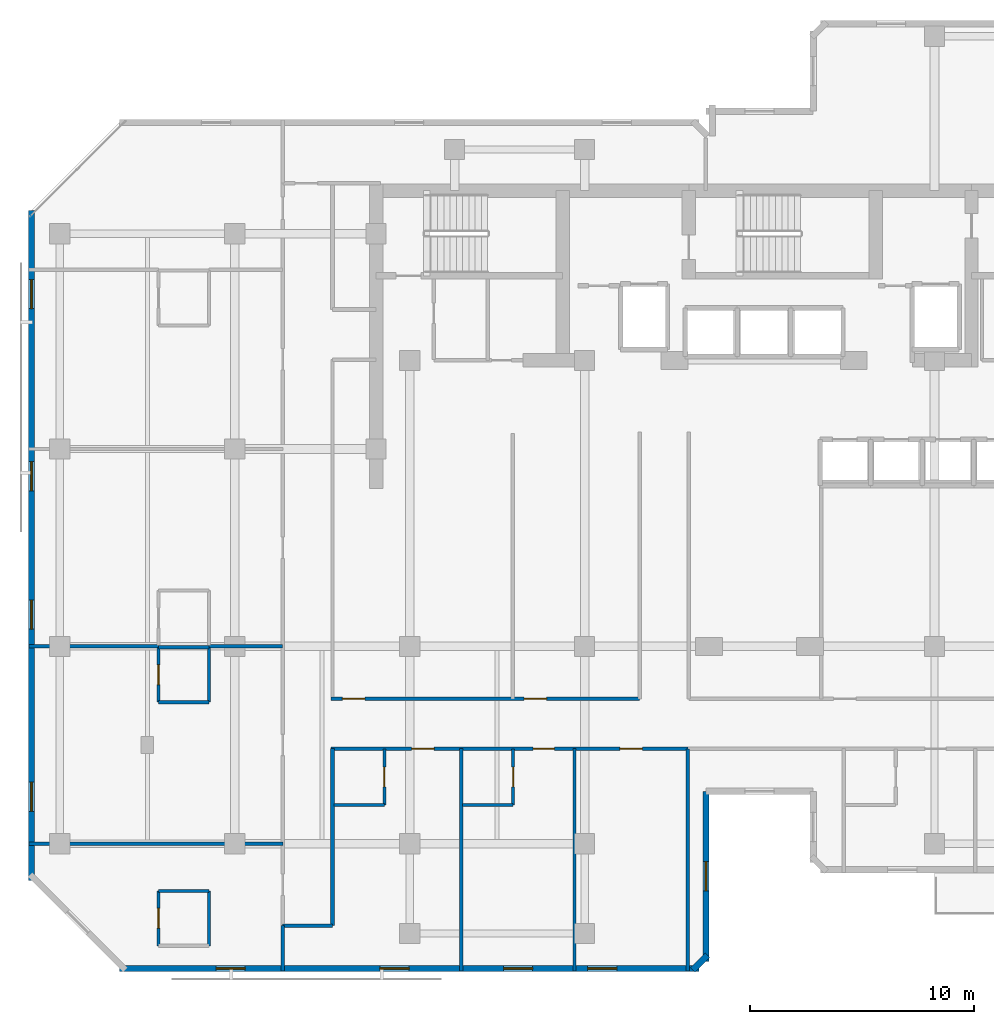
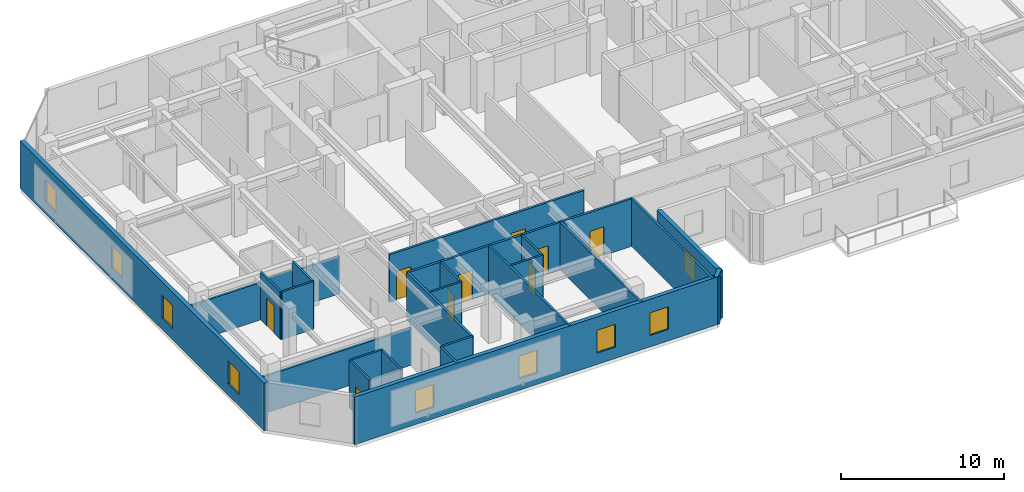
# One storey, part 4 of 11: 26 walls, 9 doors, 9 windows, 18 openings.
"""IFC4 building model written with IfcOpenShell, lengths in metres."""

from ifc_helpers import new_model, si_unit, direction, frame, frame_2d, origin, place, context, subcontext, project, spatial, rectangle, extrude, material, layer, layer_set, type_object, element, fill, save


model = new_model("IFC4")

# Units and contexts
model_context = context("Model", 3, precision=1e-05, world=origin(), true_north=direction((0.0, 1.0)))
body_context = subcontext(model_context, "Body", "Model", "MODEL_VIEW")
ifc_project = project(units=[si_unit("LENGTHUNIT", "METRE"), si_unit("AREAUNIT", "SQUARE_METRE"), si_unit("VOLUMEUNIT", "CUBIC_METRE"), si_unit("PLANEANGLEUNIT", "RADIAN"), si_unit("MASSUNIT", "GRAM", prefix="KILO")], contexts=[model_context])

# Site, building, storey
site_placement = place(None, origin())
site = spatial("IfcSite", under=ifc_project, at=site_placement, CompositionType="ELEMENT")
building_placement = place(site_placement, origin())
building = spatial("IfcBuilding", under=site, at=building_placement, Name="Kestravale Grand Hotel", CompositionType="ELEMENT")
storey_placement = place(building_placement, frame((0.0, 0.0, 228.0)))
storey = spatial("IfcBuildingStorey", under=building, at=storey_placement, Name="L57", CompositionType="ELEMENT", Elevation=228.0)

# Wall, openings, windows
ifc_material_1 = material(Name="Precast concrete f'c 45 MPa", Category="concrete")
ifc_layer_1 = layer(ifc_material_1, 0.280029296875)
ifc_layer_set_1 = layer_set([ifc_layer_1], Name="EW-PREC-280")
wall_type_1 = type_object("IfcWallType", Name="EW-PREC-280", PredefinedType="SOLIDWALL", material=ifc_layer_set_1)
wall_1_placement = place(storey_placement, frame((10.4599609375, 5.639892578125, 0.0), z_axis=(0.0, 0.0, 1.0), x_axis=(1.0, 0.0, 0.0)))
wall_1 = element("IfcWall", 1, at=wall_1_placement, inside=storey, type_object=wall_type_1, Name="L57 fluted precast facade wall 1", PredefinedType="SOLIDWALL", context=body_context, shape_type="SweptSolid", body=[
    extrude(rectangle(XDim=25.830078125, YDim=0.280029296875, at=frame_2d((12.9150390625, 0.0))), origin(), (0.0, 0.0, 1.0), 3.56005859375),
])
opening_1_placement = place(wall_1_placement, frame((4.304931640625, 0.0, 0.85009765625)))
opening_1 = element("IfcOpeningElement", 2, at=opening_1_placement, cuts=wall_1, Name="Opening W-GUEST-1300", PredefinedType="OPENING", context=body_context, shape_type="SweptSolid", body=[
    extrude(rectangle(XDim=1.300048828125, YDim=1.699951171875, at=frame_2d((0.64990234375, 0.85009765625))), frame((0.0, 0.14990234375, 0.0), z_axis=(0.0, -1.0, 0.0), x_axis=(1.0, 0.0, 0.0)), (0.0, 0.0, 1.0), 0.300048828125),
])
opening_2_placement = place(wall_1_placement, frame((11.614990234375, 0.0, 0.85009765625)))
opening_2 = element("IfcOpeningElement", 3, at=opening_2_placement, cuts=wall_1, Name="Opening W-GUEST-1300", PredefinedType="OPENING", context=body_context, shape_type="SweptSolid", body=[
    extrude(rectangle(XDim=1.300048828125, YDim=1.699951171875, at=frame_2d((0.64990234375, 0.85009765625))), frame((0.0, 0.14990234375, 0.0), z_axis=(0.0, -1.0, 0.0), x_axis=(1.0, 0.0, 0.0)), (0.0, 0.0, 1.0), 0.300048828125),
])
opening_3_placement = place(wall_1_placement, frame((20.875, 0.0, 0.85009765625)))
opening_3 = element("IfcOpeningElement", 4, at=opening_3_placement, cuts=wall_1, Name="Opening W-GUEST-1300", PredefinedType="OPENING", context=body_context, shape_type="SweptSolid", body=[
    extrude(rectangle(XDim=1.300048828125, YDim=1.699951171875, at=frame_2d((0.64990234375, 0.85009765625))), frame((0.0, 0.14990234375, 0.0), z_axis=(0.0, -1.0, 0.0), x_axis=(1.0, 0.0, 0.0)), (0.0, 0.0, 1.0), 0.300048828125),
])
opening_4_placement = place(wall_1_placement, frame((17.125, 0.0, 0.85009765625)))
opening_4 = element("IfcOpeningElement", 5, at=opening_4_placement, cuts=wall_1, Name="Opening W-GUEST-1300", PredefinedType="OPENING", context=body_context, shape_type="SweptSolid", body=[
    extrude(rectangle(XDim=1.300048828125, YDim=1.699951171875, at=frame_2d((0.64990234375, 0.85009765625))), frame((0.0, 0.14990234375, 0.0), z_axis=(0.0, -1.0, 0.0), x_axis=(1.0, 0.0, 0.0)), (0.0, 0.0, 1.0), 0.300048828125),
])
ifc_material_2 = material(Name="Insulated low-E double glazing in aluminium frame", Category="aluminium")
window_type = type_object("IfcWindowType", Name="W-GUEST-1300", PartitioningType="SINGLE_PANEL", PredefinedType="WINDOW", material=ifc_material_2)
window_1_placement = place(opening_1_placement, origin())
window_1 = element("IfcWindow", 6, at=window_1_placement, inside=storey, type_object=window_type, Name="L57 exterior window 1.1", OverallHeight=1.699951171875, OverallWidth=1.300048828125, PartitioningType="SINGLE_PANEL", PredefinedType="WINDOW", context=body_context, shape_type="SweptSolid", body=[
    extrude(rectangle(XDim=1.300048828125, YDim=1.699951171875, at=frame_2d((0.64990234375, 0.85009765625))), frame((0.0, 0.030029296875, 0.0), z_axis=(0.0, -1.0, 0.0), x_axis=(1.0, 0.0, 0.0)), (0.0, 0.0, 1.0), 0.06005859375),
])
fill(opening_1, window_1)
window_2_placement = place(opening_2_placement, origin())
window_2 = element("IfcWindow", 7, at=window_2_placement, inside=storey, type_object=window_type, Name="L57 exterior window 1.2", OverallHeight=1.699951171875, OverallWidth=1.300048828125, PartitioningType="SINGLE_PANEL", PredefinedType="WINDOW", context=body_context, shape_type="SweptSolid", body=[
    extrude(rectangle(XDim=1.300048828125, YDim=1.699951171875, at=frame_2d((0.64990234375, 0.85009765625))), frame((0.0, 0.030029296875, 0.0), z_axis=(0.0, -1.0, 0.0), x_axis=(1.0, 0.0, 0.0)), (0.0, 0.0, 1.0), 0.06005859375),
])
fill(opening_2, window_2)
window_3_placement = place(opening_3_placement, origin())
window_3 = element("IfcWindow", 8, at=window_3_placement, inside=storey, type_object=window_type, Name="L57 exterior window 1.3", OverallHeight=1.699951171875, OverallWidth=1.300048828125, PartitioningType="SINGLE_PANEL", PredefinedType="WINDOW", context=body_context, shape_type="SweptSolid", body=[
    extrude(rectangle(XDim=1.300048828125, YDim=1.699951171875, at=frame_2d((0.64990234375, 0.85009765625))), frame((0.0, 0.030029296875, 0.0), z_axis=(0.0, -1.0, 0.0), x_axis=(1.0, 0.0, 0.0)), (0.0, 0.0, 1.0), 0.06005859375),
])
fill(opening_3, window_3)
window_4_placement = place(opening_4_placement, origin())
window_4 = element("IfcWindow", 9, at=window_4_placement, inside=storey, type_object=window_type, Name="L57 guestroom envelope window 1", OverallHeight=1.699951171875, OverallWidth=1.300048828125, PartitioningType="SINGLE_PANEL", PredefinedType="WINDOW", context=body_context, shape_type="SweptSolid", body=[
    extrude(rectangle(XDim=1.300048828125, YDim=1.699951171875, at=frame_2d((0.64990234375, 0.85009765625))), frame((0.0, 0.030029296875, 0.0), z_axis=(0.0, -1.0, 0.0), x_axis=(1.0, 0.0, 0.0)), (0.0, 0.0, 1.0), 0.06005859375),
])
fill(opening_4, window_4)

# Wall
wall_2_placement = place(storey_placement, frame((36.022705078125, 5.57080078125, 0.0), z_axis=(0.0, 0.0, 1.0), x_axis=(0.707106781187, 0.707106781187, 0.0)))
element("IfcWall", 10, at=wall_2_placement, inside=storey, type_object=wall_type_1, Name="L57 fluted precast facade wall 2", PredefinedType="SOLIDWALL", context=body_context, shape_type="SweptSolid", body=[
    extrude(rectangle(XDim=0.928466796875, YDim=0.280029296875, at=frame_2d((0.46435546875, 0.0))), origin(), (0.0, 0.0, 1.0), 3.56005859375),
])

# Wall, opening, window
wall_3_placement = place(storey_placement, frame((36.610107421875, 5.9599609375, 0.0), z_axis=(0.0, 0.0, 1.0), x_axis=(0.0, 1.0, 0.0)))
wall_3 = element("IfcWall", 11, at=wall_3_placement, inside=storey, type_object=wall_type_1, Name="L57 fluted precast facade wall 3", PredefinedType="SOLIDWALL", context=body_context, shape_type="SweptSolid", body=[
    extrude(rectangle(XDim=7.580078125, YDim=0.280029296875, at=frame_2d((3.7900390625, 0.0))), origin(), (0.0, 0.0, 1.0), 3.56005859375),
])
opening_5_placement = place(wall_3_placement, frame((3.139892578125, 0.0, 0.85009765625)))
opening_5 = element("IfcOpeningElement", 12, at=opening_5_placement, cuts=wall_3, Name="Opening W-GUEST-1300", PredefinedType="OPENING", context=body_context, shape_type="SweptSolid", body=[
    extrude(rectangle(XDim=1.300048828125, YDim=1.699951171875, at=frame_2d((0.64990234375, 0.85009765625))), frame((0.0, 0.14990234375, 0.0), z_axis=(0.0, -1.0, 0.0), x_axis=(1.0, 0.0, 0.0)), (0.0, 0.0, 1.0), 0.300048828125),
])
window_5_placement = place(opening_5_placement, origin())
window_5 = element("IfcWindow", 13, at=window_5_placement, inside=storey, type_object=window_type, Name="L57 exterior window 3.1", OverallHeight=1.699951171875, OverallWidth=1.300048828125, PartitioningType="SINGLE_PANEL", PredefinedType="WINDOW", context=body_context, shape_type="SweptSolid", body=[
    extrude(rectangle(XDim=1.300048828125, YDim=1.699951171875, at=frame_2d((0.64990234375, 0.85009765625))), frame((0.0, 0.030029296875, 0.0), z_axis=(0.0, -1.0, 0.0), x_axis=(1.0, 0.0, 0.0)), (0.0, 0.0, 1.0), 0.06005859375),
])
fill(opening_5, window_5)

# Wall, openings, windows
wall_4_placement = place(storey_placement, frame((6.5400390625, 39.43994140625, 0.0), z_axis=(0.0, 0.0, 1.0), x_axis=(0.0, -1.0, 0.0)))
wall_4 = element("IfcWall", 14, at=wall_4_placement, inside=storey, type_object=wall_type_1, Name="L57 fluted precast facade wall 19", PredefinedType="SOLIDWALL", context=body_context, shape_type="SweptSolid", body=[
    extrude(rectangle(XDim=29.8798828125, YDim=0.280029296875, at=frame_2d((14.93994140625, 0.0))), origin(), (0.0, 0.0, 1.0), 3.56005859375),
])
opening_6_placement = place(wall_4_placement, frame((3.0849609375, 0.0, 0.85009765625)))
opening_6 = element("IfcOpeningElement", 15, at=opening_6_placement, cuts=wall_4, Name="Opening W-GUEST-1300", PredefinedType="OPENING", context=body_context, shape_type="SweptSolid", body=[
    extrude(rectangle(XDim=1.300048828125, YDim=1.699951171875, at=frame_2d((0.64990234375, 0.85009765625))), frame((0.0, 0.14990234375, 0.0), z_axis=(0.0, -1.0, 0.0), x_axis=(1.0, 0.0, 0.0)), (0.0, 0.0, 1.0), 0.300048828125),
])
opening_7_placement = place(wall_4_placement, frame((11.205078125, 0.0, 0.85009765625)))
opening_7 = element("IfcOpeningElement", 16, at=opening_7_placement, cuts=wall_4, Name="Opening W-GUEST-1300", PredefinedType="OPENING", context=body_context, shape_type="SweptSolid", body=[
    extrude(rectangle(XDim=1.300048828125, YDim=1.699951171875, at=frame_2d((0.64990234375, 0.85009765625))), frame((0.0, 0.14990234375, 0.0), z_axis=(0.0, -1.0, 0.0), x_axis=(1.0, 0.0, 0.0)), (0.0, 0.0, 1.0), 0.300048828125),
])
opening_8_placement = place(wall_4_placement, frame((17.375, 0.0, 0.85009765625)))
opening_8 = element("IfcOpeningElement", 17, at=opening_8_placement, cuts=wall_4, Name="Opening W-GUEST-1300", PredefinedType="OPENING", context=body_context, shape_type="SweptSolid", body=[
    extrude(rectangle(XDim=1.300048828125, YDim=1.699951171875, at=frame_2d((0.64990234375, 0.85009765625))), frame((0.0, 0.14990234375, 0.0), z_axis=(0.0, -1.0, 0.0), x_axis=(1.0, 0.0, 0.0)), (0.0, 0.0, 1.0), 0.300048828125),
])
opening_9_placement = place(wall_4_placement, frame((25.4951171875, 0.0, 0.85009765625)))
opening_9 = element("IfcOpeningElement", 18, at=opening_9_placement, cuts=wall_4, Name="Opening W-GUEST-1300", PredefinedType="OPENING", context=body_context, shape_type="SweptSolid", body=[
    extrude(rectangle(XDim=1.300048828125, YDim=1.699951171875, at=frame_2d((0.64990234375, 0.85009765625))), frame((0.0, 0.14990234375, 0.0), z_axis=(0.0, -1.0, 0.0), x_axis=(1.0, 0.0, 0.0)), (0.0, 0.0, 1.0), 0.300048828125),
])
window_6_placement = place(opening_6_placement, origin())
window_6 = element("IfcWindow", 19, at=window_6_placement, inside=storey, type_object=window_type, Name="L57 exterior window 19.1", OverallHeight=1.699951171875, OverallWidth=1.300048828125, PartitioningType="SINGLE_PANEL", PredefinedType="WINDOW", context=body_context, shape_type="SweptSolid", body=[
    extrude(rectangle(XDim=1.300048828125, YDim=1.699951171875, at=frame_2d((0.64990234375, 0.85009765625))), frame((0.0, 0.030029296875, 0.0), z_axis=(0.0, -1.0, 0.0), x_axis=(1.0, 0.0, 0.0)), (0.0, 0.0, 1.0), 0.06005859375),
])
fill(opening_6, window_6)
window_7_placement = place(opening_7_placement, origin())
window_7 = element("IfcWindow", 20, at=window_7_placement, inside=storey, type_object=window_type, Name="L57 exterior window 19.2", OverallHeight=1.699951171875, OverallWidth=1.300048828125, PartitioningType="SINGLE_PANEL", PredefinedType="WINDOW", context=body_context, shape_type="SweptSolid", body=[
    extrude(rectangle(XDim=1.300048828125, YDim=1.699951171875, at=frame_2d((0.64990234375, 0.85009765625))), frame((0.0, 0.030029296875, 0.0), z_axis=(0.0, -1.0, 0.0), x_axis=(1.0, 0.0, 0.0)), (0.0, 0.0, 1.0), 0.06005859375),
])
fill(opening_7, window_7)
window_8_placement = place(opening_8_placement, origin())
window_8 = element("IfcWindow", 21, at=window_8_placement, inside=storey, type_object=window_type, Name="L57 exterior window 19.3", OverallHeight=1.699951171875, OverallWidth=1.300048828125, PartitioningType="SINGLE_PANEL", PredefinedType="WINDOW", context=body_context, shape_type="SweptSolid", body=[
    extrude(rectangle(XDim=1.300048828125, YDim=1.699951171875, at=frame_2d((0.64990234375, 0.85009765625))), frame((0.0, 0.030029296875, 0.0), z_axis=(0.0, -1.0, 0.0), x_axis=(1.0, 0.0, 0.0)), (0.0, 0.0, 1.0), 0.06005859375),
])
fill(opening_8, window_8)
window_9_placement = place(opening_9_placement, origin())
window_9 = element("IfcWindow", 22, at=window_9_placement, inside=storey, type_object=window_type, Name="L57 exterior window 19.4", OverallHeight=1.699951171875, OverallWidth=1.300048828125, PartitioningType="SINGLE_PANEL", PredefinedType="WINDOW", context=body_context, shape_type="SweptSolid", body=[
    extrude(rectangle(XDim=1.300048828125, YDim=1.699951171875, at=frame_2d((0.64990234375, 0.85009765625))), frame((0.0, 0.030029296875, 0.0), z_axis=(0.0, -1.0, 0.0), x_axis=(1.0, 0.0, 0.0)), (0.0, 0.0, 1.0), 0.06005859375),
])
fill(opening_9, window_9)

# Wall, openings, doors
ifc_material_3 = material(Name="Acoustic fire-rated gypsum board partition", Category="other")
ifc_layer_2 = layer(ifc_material_3, 0.159912109375)
ifc_layer_set_2 = layer_set([ifc_layer_2], Name="IW-CORR-160")
wall_type_2 = type_object("IfcWallType", Name="IW-CORR-160", PredefinedType="PARTITIONING", material=ifc_layer_set_2)
wall_5_placement = place(storey_placement, frame((19.89990234375, 17.659912109375, 0.0), z_axis=(0.0, 0.0, 1.0), x_axis=(1.0, 0.0, 0.0)))
wall_5 = element("IfcWall", 23, at=wall_5_placement, inside=storey, type_object=wall_type_2, Name="W-L57-CW-N", PredefinedType="PARTITIONING", context=body_context, shape_type="SweptSolid", body=[
    extrude(rectangle(XDim=13.75, YDim=0.159912109375, at=frame_2d((6.875, 0.0))), origin(), (0.0, 0.0, 1.0), 3.56005859375),
])
opening_10_placement = place(wall_5_placement, frame((0.5, 0.0, 0.0)))
opening_10 = element("IfcOpeningElement", 24, at=opening_10_placement, cuts=wall_5, Name="Opening D-GUEST-1000", PredefinedType="OPENING", context=body_context, shape_type="SweptSolid", body=[
    extrude(rectangle(XDim=1.0, YDim=2.14990234375, at=frame_2d((0.5, 1.074951171875))), frame((0.0, 0.08984375, 0.0), z_axis=(0.0, -1.0, 0.0), x_axis=(1.0, 0.0, 0.0)), (0.0, 0.0, 1.0), 0.179931640625),
])
opening_11_placement = place(wall_5_placement, frame((8.60009765625, 0.0, 0.0)))
opening_11 = element("IfcOpeningElement", 25, at=opening_11_placement, cuts=wall_5, Name="Opening D-GUEST-1000", PredefinedType="OPENING", context=body_context, shape_type="SweptSolid", body=[
    extrude(rectangle(XDim=1.0, YDim=2.14990234375, at=frame_2d((0.5, 1.074951171875))), frame((0.0, 0.08984375, 0.0), z_axis=(0.0, -1.0, 0.0), x_axis=(1.0, 0.0, 0.0)), (0.0, 0.0, 1.0), 0.179931640625),
])
ifc_material_4 = material(Name="Accessible walnut veneer hotel entrance fire door", Category="wood")
door_type_1 = type_object("IfcDoorType", Name="D-GUEST-1000", OperationType="NOTDEFINED", PredefinedType="DOOR", material=ifc_material_4)
door_1_placement = place(opening_10_placement, origin())
door_1 = element("IfcDoor", 26, at=door_1_placement, inside=storey, type_object=door_type_1, Name="D-L57-RECL-W1", OperationType="SINGLE_SWING_LEFT", OverallHeight=2.14990234375, OverallWidth=1.0, PredefinedType="DOOR", context=body_context, shape_type="SweptSolid", body=[
    extrude(rectangle(XDim=1.0, YDim=2.14990234375, at=frame_2d((0.5, 1.074951171875))), frame((0.0, 0.02490234375, 0.0), z_axis=(0.0, -1.0, 0.0), x_axis=(1.0, 0.0, 0.0)), (0.0, 0.0, 1.0), 0.050048828125),
])
fill(opening_10, door_1)
door_2_placement = place(opening_11_placement, origin())
door_2 = element("IfcDoor", 27, at=door_2_placement, inside=storey, type_object=door_type_1, Name="D-L57-RECL-W2", OperationType="SINGLE_SWING_RIGHT", OverallHeight=2.14990234375, OverallWidth=1.0, PredefinedType="DOOR", context=body_context, shape_type="SweptSolid", body=[
    extrude(rectangle(XDim=1.0, YDim=2.14990234375, at=frame_2d((0.5, 1.074951171875))), frame((0.0, 0.02490234375, 0.0), z_axis=(0.0, -1.0, 0.0), x_axis=(1.0, 0.0, 0.0)), (0.0, 0.0, 1.0), 0.050048828125),
])
fill(opening_11, door_2)

wall_6_placement = place(storey_placement, frame((19.89990234375, 15.43994140625, 0.0), z_axis=(0.0, 0.0, 1.0), x_axis=(1.0, 0.0, 0.0)))
wall_6 = element("IfcWall", 28, at=wall_6_placement, inside=storey, type_object=wall_type_2, Name="W-L57-CW-S", PredefinedType="PARTITIONING", context=body_context, shape_type="SweptSolid", body=[
    extrude(rectangle(XDim=15.900146484375, YDim=0.159912109375, at=frame_2d((7.9501953125, 0.0))), origin(), (0.0, 0.0, 1.0), 3.56005859375),
])
opening_12_placement = place(wall_6_placement, frame((3.5849609375, 0.0, 0.0)))
opening_12 = element("IfcOpeningElement", 29, at=opening_12_placement, cuts=wall_6, Name="Opening D-GUEST-1000", PredefinedType="OPENING", context=body_context, shape_type="SweptSolid", body=[
    extrude(rectangle(XDim=1.0, YDim=2.14990234375, at=frame_2d((0.5, 1.074951171875))), frame((0.0, 0.08984375, 0.0), z_axis=(0.0, -1.0, 0.0), x_axis=(1.0, 0.0, 0.0)), (0.0, 0.0, 1.0), 0.179931640625),
])
opening_13_placement = place(wall_6_placement, frame((9.0048828125, 0.0, 0.0)))
opening_13 = element("IfcOpeningElement", 30, at=opening_13_placement, cuts=wall_6, Name="Opening D-GUEST-950", PredefinedType="OPENING", context=body_context, shape_type="SweptSolid", body=[
    extrude(rectangle(XDim=0.949951171875, YDim=2.10009765625, at=frame_2d((0.47509765625, 1.050048828125))), frame((0.0, 0.08984375, 0.0), z_axis=(0.0, -1.0, 0.0), x_axis=(1.0, 0.0, 0.0)), (0.0, 0.0, 1.0), 0.179931640625),
])
opening_14_placement = place(wall_6_placement, frame((12.875, 0.0, 0.0)))
opening_14 = element("IfcOpeningElement", 31, at=opening_14_placement, cuts=wall_6, Name="Opening D-GUEST-1000", PredefinedType="OPENING", context=body_context, shape_type="SweptSolid", body=[
    extrude(rectangle(XDim=1.0, YDim=2.14990234375, at=frame_2d((0.5, 1.074951171875))), frame((0.0, 0.08984375, 0.0), z_axis=(0.0, -1.0, 0.0), x_axis=(1.0, 0.0, 0.0)), (0.0, 0.0, 1.0), 0.179931640625),
])
door_3_placement = place(opening_12_placement, origin())
door_3 = element("IfcDoor", 32, at=door_3_placement, inside=storey, type_object=door_type_1, Name="D-L57-U01-ENT", OperationType="SINGLE_SWING_RIGHT", OverallHeight=2.14990234375, OverallWidth=1.0, PredefinedType="DOOR", context=body_context, shape_type="SweptSolid", body=[
    extrude(rectangle(XDim=1.0, YDim=2.14990234375, at=frame_2d((0.5, 1.074951171875))), frame((0.0, 0.02490234375, 0.0), z_axis=(0.0, -1.0, 0.0), x_axis=(1.0, 0.0, 0.0)), (0.0, 0.0, 1.0), 0.050048828125),
])
fill(opening_12, door_3)
door_4_placement = place(opening_14_placement, origin())
door_4 = element("IfcDoor", 33, at=door_4_placement, inside=storey, type_object=door_type_1, Name="D-L57-AMW", OperationType="SINGLE_SWING_LEFT", OverallHeight=2.14990234375, OverallWidth=1.0, PredefinedType="DOOR", context=body_context, shape_type="SweptSolid", body=[
    extrude(rectangle(XDim=1.0, YDim=2.14990234375, at=frame_2d((0.5, 1.074951171875))), frame((0.0, 0.02490234375, 0.0), z_axis=(0.0, -1.0, 0.0), x_axis=(1.0, 0.0, 0.0)), (0.0, 0.0, 1.0), 0.050048828125),
])
fill(opening_14, door_4)
ifc_material_5 = material(Name="Walnut veneer hotel guestroom entrance fire door", Category="wood")
door_type_2 = type_object("IfcDoorType", Name="D-GUEST-950", OperationType="NOTDEFINED", PredefinedType="DOOR", material=ifc_material_5)
door_5_placement = place(opening_13_placement, origin())
door_5 = element("IfcDoor", 34, at=door_5_placement, inside=storey, type_object=door_type_2, Name="D-L57-U02-ENT", OperationType="SINGLE_SWING_RIGHT", OverallHeight=2.10009765625, OverallWidth=0.949951171875, PredefinedType="DOOR", context=body_context, shape_type="SweptSolid", body=[
    extrude(rectangle(XDim=0.949951171875, YDim=2.10009765625, at=frame_2d((0.47509765625, 1.050048828125))), frame((0.0, 0.02490234375, 0.0), z_axis=(0.0, -1.0, 0.0), x_axis=(1.0, 0.0, 0.0)), (0.0, 0.0, 1.0), 0.050048828125),
])
fill(opening_13, door_5)

# Wall
wall_7_placement = place(storey_placement, frame((19.9599609375, 7.550048828125, 0.0), z_axis=(0.0, 0.0, 1.0), x_axis=(0.0, 1.0, 0.0)))
element("IfcWall", 35, at=wall_7_placement, inside=storey, type_object=wall_type_2, Name="W-L57-SW-E", PredefinedType="PARTITIONING", context=body_context, shape_type="SweptSolid", body=[
    extrude(rectangle(XDim=7.889892578125, YDim=0.159912109375, at=frame_2d((3.94482421875, 0.0))), origin(), (0.0, 0.0, 1.0), 3.56005859375),
])

# Wall, opening, door
ifc_material_6 = material(Name="Moisture-resistant tile-backer plumbing chase wall", Category="other")
ifc_layer_3 = layer(ifc_material_6, 0.139892578125)
ifc_layer_set_3 = layer_set([ifc_layer_3], Name="IW-PLB-140")
wall_type_3 = type_object("IfcWallType", Name="IW-PLB-140", PredefinedType="PLUMBINGWALL", material=ifc_layer_set_3)
wall_8_placement = place(storey_placement, frame((22.27001953125, 12.929931640625, 0.0), z_axis=(0.0, 0.0, 1.0), x_axis=(0.0, 1.0, 0.0)))
wall_8 = element("IfcWall", 36, at=wall_8_placement, inside=storey, type_object=wall_type_3, Name="W-L57-U01-BE", PredefinedType="PLUMBINGWALL", context=body_context, shape_type="SweptSolid", body=[
    extrude(rectangle(XDim=2.489990234375, YDim=0.139892578125, at=frame_2d((1.2451171875, 0.0))), origin(), (0.0, 0.0, 1.0), 3.56005859375),
])
opening_15_placement = place(wall_8_placement, frame((0.804931640625, 0.0, 0.0)))
opening_15 = element("IfcOpeningElement", 37, at=opening_15_placement, cuts=wall_8, Name="Opening D-BATH-880", PredefinedType="OPENING", context=body_context, shape_type="SweptSolid", body=[
    extrude(rectangle(XDim=0.8798828125, YDim=2.050048828125, at=frame_2d((0.43994140625, 1.02490234375))), frame((0.0, 0.079833984375, 0.0), z_axis=(0.0, -1.0, 0.0), x_axis=(1.0, 0.0, 0.0)), (0.0, 0.0, 1.0), 0.159912109375),
])
ifc_material_7 = material(Name="Moisture-sealed walnut en-suite bathroom door", Category="wood")
door_type_3 = type_object("IfcDoorType", Name="D-BATH-880", OperationType="NOTDEFINED", PredefinedType="DOOR", material=ifc_material_7)
door_6_placement = place(opening_15_placement, origin())
door_6 = element("IfcDoor", 38, at=door_6_placement, inside=storey, type_object=door_type_3, Name="D-L57-U01-BATH", OperationType="SINGLE_SWING_LEFT", OverallHeight=2.050048828125, OverallWidth=0.8798828125, PredefinedType="DOOR", context=body_context, shape_type="SweptSolid", body=[
    extrude(rectangle(XDim=0.8798828125, YDim=2.050048828125, at=frame_2d((0.43994140625, 1.02490234375))), frame((0.0, 0.02490234375, 0.0), z_axis=(0.0, -1.0, 0.0), x_axis=(1.0, 0.0, 0.0)), (0.0, 0.0, 1.0), 0.050048828125),
])
fill(opening_15, door_6)

# Wall
wall_9_placement = place(storey_placement, frame((20.02001953125, 12.929931640625, 0.0), z_axis=(0.0, 0.0, 1.0), x_axis=(1.0, 0.0, 0.0)))
element("IfcWall", 39, at=wall_9_placement, inside=storey, type_object=wall_type_3, Name="W-L57-U01-BS", PredefinedType="PLUMBINGWALL", context=body_context, shape_type="SweptSolid", body=[
    extrude(rectangle(XDim=2.25, YDim=0.139892578125, at=frame_2d((1.125, 0.0))), origin(), (0.0, 0.0, 1.0), 3.56005859375),
])

# Wall, opening, door
wall_10_placement = place(storey_placement, frame((28.010009765625, 12.929931640625, 0.0), z_axis=(0.0, 0.0, 1.0), x_axis=(0.0, 1.0, 0.0)))
wall_10 = element("IfcWall", 40, at=wall_10_placement, inside=storey, type_object=wall_type_3, Name="W-L57-U02-BE", PredefinedType="PLUMBINGWALL", context=body_context, shape_type="SweptSolid", body=[
    extrude(rectangle(XDim=2.489990234375, YDim=0.139892578125, at=frame_2d((1.2451171875, 0.0))), origin(), (0.0, 0.0, 1.0), 3.56005859375),
])
opening_16_placement = place(wall_10_placement, frame((0.804931640625, 0.0, 0.0)))
opening_16 = element("IfcOpeningElement", 41, at=opening_16_placement, cuts=wall_10, Name="Opening D-BATH-880", PredefinedType="OPENING", context=body_context, shape_type="SweptSolid", body=[
    extrude(rectangle(XDim=0.8798828125, YDim=2.050048828125, at=frame_2d((0.43994140625, 1.02490234375))), frame((0.0, 0.079833984375, 0.0), z_axis=(0.0, -1.0, 0.0), x_axis=(1.0, 0.0, 0.0)), (0.0, 0.0, 1.0), 0.159912109375),
])
door_7_placement = place(opening_16_placement, origin())
door_7 = element("IfcDoor", 42, at=door_7_placement, inside=storey, type_object=door_type_3, Name="D-L57-U02-BATH", OperationType="SINGLE_SWING_LEFT", OverallHeight=2.050048828125, OverallWidth=0.8798828125, PredefinedType="DOOR", context=body_context, shape_type="SweptSolid", body=[
    extrude(rectangle(XDim=0.8798828125, YDim=2.050048828125, at=frame_2d((0.43994140625, 1.02490234375))), frame((0.0, 0.02490234375, 0.0), z_axis=(0.0, -1.0, 0.0), x_axis=(1.0, 0.0, 0.0)), (0.0, 0.0, 1.0), 0.050048828125),
])
fill(opening_16, door_7)

# Wall
wall_11_placement = place(storey_placement, frame((25.760009765625, 12.929931640625, 0.0), z_axis=(0.0, 0.0, 1.0), x_axis=(1.0, 0.0, 0.0)))
element("IfcWall", 43, at=wall_11_placement, inside=storey, type_object=wall_type_3, Name="W-L57-U02-BS", PredefinedType="PLUMBINGWALL", context=body_context, shape_type="SweptSolid", body=[
    extrude(rectangle(XDim=2.25, YDim=0.139892578125, at=frame_2d((1.125, 0.0))), origin(), (0.0, 0.0, 1.0), 3.56005859375),
])

# Wall, opening, door
wall_12_placement = place(storey_placement, frame((12.199951171875, 6.64990234375, 0.0), z_axis=(0.0, 0.0, 1.0), x_axis=(0.0, 1.0, 0.0)))
wall_12 = element("IfcWall", 44, at=wall_12_placement, inside=storey, type_object=wall_type_3, Name="W-L57-U05-BW", PredefinedType="PLUMBINGWALL", context=body_context, shape_type="SweptSolid", body=[
    extrude(rectangle(XDim=2.4501953125, YDim=0.139892578125, at=frame_2d((1.22509765625, 0.0))), origin(), (0.0, 0.0, 1.0), 3.56005859375),
])
opening_17_placement = place(wall_12_placement, frame((0.784912109375, 0.0, 0.0)))
opening_17 = element("IfcOpeningElement", 45, at=opening_17_placement, cuts=wall_12, Name="Opening D-BATH-880", PredefinedType="OPENING", context=body_context, shape_type="SweptSolid", body=[
    extrude(rectangle(XDim=0.8798828125, YDim=2.050048828125, at=frame_2d((0.43994140625, 1.02490234375))), frame((0.0, 0.079833984375, 0.0), z_axis=(0.0, -1.0, 0.0), x_axis=(1.0, 0.0, 0.0)), (0.0, 0.0, 1.0), 0.159912109375),
])
door_8_placement = place(opening_17_placement, origin())
door_8 = element("IfcDoor", 46, at=door_8_placement, inside=storey, type_object=door_type_3, Name="D-L57-U05-BATH", OperationType="SINGLE_SWING_LEFT", OverallHeight=2.050048828125, OverallWidth=0.8798828125, PredefinedType="DOOR", context=body_context, shape_type="SweptSolid", body=[
    extrude(rectangle(XDim=0.8798828125, YDim=2.050048828125, at=frame_2d((0.43994140625, 1.02490234375))), frame((0.0, 0.02490234375, 0.0), z_axis=(0.0, -1.0, 0.0), x_axis=(1.0, 0.0, 0.0)), (0.0, 0.0, 1.0), 0.050048828125),
])
fill(opening_17, door_8)

# Walls
wall_13_placement = place(storey_placement, frame((14.449951171875, 6.64990234375, 0.0), z_axis=(0.0, 0.0, 1.0), x_axis=(0.0, 1.0, 0.0)))
element("IfcWall", 47, at=wall_13_placement, inside=storey, type_object=wall_type_3, Name="W-L57-U05-BE", PredefinedType="PLUMBINGWALL", context=body_context, shape_type="SweptSolid", body=[
    extrude(rectangle(XDim=2.4501953125, YDim=0.139892578125, at=frame_2d((1.22509765625, 0.0))), origin(), (0.0, 0.0, 1.0), 3.56005859375),
])
wall_14_placement = place(storey_placement, frame((12.199951171875, 9.10009765625, 0.0), z_axis=(0.0, 0.0, 1.0), x_axis=(1.0, 0.0, 0.0)))
element("IfcWall", 48, at=wall_14_placement, inside=storey, type_object=wall_type_3, Name="W-L57-U05-BN", PredefinedType="PLUMBINGWALL", context=body_context, shape_type="SweptSolid", body=[
    extrude(rectangle(XDim=2.25, YDim=0.139892578125, at=frame_2d((1.125, 0.0))), origin(), (0.0, 0.0, 1.0), 3.56005859375),
])

# Wall, opening, door
wall_15_placement = place(storey_placement, frame((12.199951171875, 17.510009765625, 0.0), z_axis=(0.0, 0.0, 1.0), x_axis=(0.0, 1.0, 0.0)))
wall_15 = element("IfcWall", 49, at=wall_15_placement, inside=storey, type_object=wall_type_3, Name="W-L57-U06-BW", PredefinedType="PLUMBINGWALL", context=body_context, shape_type="SweptSolid", body=[
    extrude(rectangle(XDim=2.449951171875, YDim=0.139892578125, at=frame_2d((1.22509765625, 0.0))), origin(), (0.0, 0.0, 1.0), 3.56005859375),
])
opening_18_placement = place(wall_15_placement, frame((0.784912109375, 0.0, 0.0)))
opening_18 = element("IfcOpeningElement", 50, at=opening_18_placement, cuts=wall_15, Name="Opening D-BATH-880", PredefinedType="OPENING", context=body_context, shape_type="SweptSolid", body=[
    extrude(rectangle(XDim=0.8798828125, YDim=2.050048828125, at=frame_2d((0.43994140625, 1.02490234375))), frame((0.0, 0.079833984375, 0.0), z_axis=(0.0, -1.0, 0.0), x_axis=(1.0, 0.0, 0.0)), (0.0, 0.0, 1.0), 0.159912109375),
])
door_9_placement = place(opening_18_placement, origin())
door_9 = element("IfcDoor", 51, at=door_9_placement, inside=storey, type_object=door_type_3, Name="D-L57-U06-BATH", OperationType="SINGLE_SWING_LEFT", OverallHeight=2.050048828125, OverallWidth=0.8798828125, PredefinedType="DOOR", context=body_context, shape_type="SweptSolid", body=[
    extrude(rectangle(XDim=0.8798828125, YDim=2.050048828125, at=frame_2d((0.43994140625, 1.02490234375))), frame((0.0, 0.02490234375, 0.0), z_axis=(0.0, -1.0, 0.0), x_axis=(1.0, 0.0, 0.0)), (0.0, 0.0, 1.0), 0.050048828125),
])
fill(opening_18, door_9)

# Walls
wall_16_placement = place(storey_placement, frame((14.449951171875, 17.510009765625, 0.0), z_axis=(0.0, 0.0, 1.0), x_axis=(0.0, 1.0, 0.0)))
element("IfcWall", 52, at=wall_16_placement, inside=storey, type_object=wall_type_3, Name="W-L57-U06-BE", PredefinedType="PLUMBINGWALL", context=body_context, shape_type="SweptSolid", body=[
    extrude(rectangle(XDim=2.449951171875, YDim=0.139892578125, at=frame_2d((1.22509765625, 0.0))), origin(), (0.0, 0.0, 1.0), 3.56005859375),
])
wall_17_placement = place(storey_placement, frame((12.199951171875, 17.510009765625, 0.0), z_axis=(0.0, 0.0, 1.0), x_axis=(1.0, 0.0, 0.0)))
element("IfcWall", 53, at=wall_17_placement, inside=storey, type_object=wall_type_3, Name="W-L57-U06-BS", PredefinedType="PLUMBINGWALL", context=body_context, shape_type="SweptSolid", body=[
    extrude(rectangle(XDim=2.25, YDim=0.139892578125, at=frame_2d((1.125, 0.0))), origin(), (0.0, 0.0, 1.0), 3.56005859375),
])
wall_18_placement = place(storey_placement, frame((12.199951171875, 19.9599609375, 0.0), z_axis=(0.0, 0.0, 1.0), x_axis=(1.0, 0.0, 0.0)))
element("IfcWall", 54, at=wall_18_placement, inside=storey, type_object=wall_type_3, Name="W-L57-U06-BN", PredefinedType="PLUMBINGWALL", context=body_context, shape_type="SweptSolid", body=[
    extrude(rectangle(XDim=2.25, YDim=0.139892578125, at=frame_2d((1.125, 0.0))), origin(), (0.0, 0.0, 1.0), 2.947998046875),
])
ifc_material_8 = material(Name="Double-stud STC 52 acoustic demising partition", Category="other")
ifc_layer_4 = layer(ifc_material_8, 0.14990234375)
ifc_layer_set_4 = layer_set([ifc_layer_4], Name="IW-UNIT-150")
wall_type_4 = type_object("IfcWallType", Name="IW-UNIT-150", PredefinedType="PARTITIONING", material=ifc_layer_set_4)
wall_19_placement = place(storey_placement, frame((17.739990234375, 7.550048828125, 0.0), z_axis=(0.0, 0.0, 1.0), x_axis=(1.0, 0.0, 0.0)))
element("IfcWall", 55, at=wall_19_placement, inside=storey, type_object=wall_type_4, Name="W-L57-SW-S", PredefinedType="PARTITIONING", context=body_context, shape_type="SweptSolid", body=[
    extrude(rectangle(XDim=2.219970703125, YDim=0.14990234375, at=frame_2d((1.10986328125, 0.0))), origin(), (0.0, 0.0, 1.0), 3.56005859375),
])
for number, where, z_axis, x_axis, name in (
    (56, (25.699951171875, 5.52001953125, 0.0), (0.0, 0.0, 1.0), (0.0, 1.0, 0.0), "W-L57-WS-1"),
    (57, (30.75, 5.52001953125, 0.0), (0.0, 0.0, 1.0), (0.0, 1.0, 0.0), "W-L57-WS-2"),
):
    element("IfcWall", number, at=place(storey_placement, frame(where, z_axis=z_axis, x_axis=x_axis)), inside=storey, type_object=wall_type_4, Name=name, PredefinedType="PARTITIONING", context=body_context, shape_type="SweptSolid", body=[
        extrude(rectangle(XDim=9.919921875, YDim=0.14990234375, at=frame_2d((4.9599609375, 0.0))), origin(), (0.0, 0.0, 1.0), 3.56005859375),
    ])
wall_20_placement = place(storey_placement, frame((35.800048828125, 5.52001953125, 0.0), z_axis=(0.0, 0.0, 1.0), x_axis=(0.0, 1.0, 0.0)))
element("IfcWall", 58, at=wall_20_placement, inside=storey, type_object=wall_type_4, Name="W-L57-MID-S", PredefinedType="PARTITIONING", context=body_context, shape_type="SweptSolid", body=[
    extrude(rectangle(XDim=9.89990234375, YDim=0.14990234375, at=frame_2d((4.949951171875, 0.0))), origin(), (0.0, 0.0, 1.0), 3.56005859375),
])
wall_21_placement = place(storey_placement, frame((17.739990234375, 5.52001953125, 0.0), z_axis=(0.0, 0.0, 1.0), x_axis=(0.0, 1.0, 0.0)))
element("IfcWall", 59, at=wall_21_placement, inside=storey, type_object=wall_type_4, Name="W-L57-SW-EXT", PredefinedType="PARTITIONING", context=body_context, shape_type="SweptSolid", body=[
    extrude(rectangle(XDim=2.030029296875, YDim=0.14990234375, at=frame_2d((1.01513671875, 0.0))), origin(), (0.0, 0.0, 1.0), 3.56005859375),
])
wall_22_placement = place(storey_placement, frame((6.419921875, 11.199951171875, 0.0), z_axis=(0.0, 0.0, 1.0), x_axis=(1.0, 0.0, 0.0)))
element("IfcWall", 60, at=wall_22_placement, inside=storey, type_object=wall_type_4, Name="W-L57-WW-1", PredefinedType="PARTITIONING", context=body_context, shape_type="SweptSolid", body=[
    extrude(rectangle(XDim=11.320068359375, YDim=0.14990234375, at=frame_2d((5.66015625, 0.0))), origin(), (0.0, 0.0, 1.0), 2.7880859375),
])
wall_23_placement = place(storey_placement, frame((6.419921875, 20.0, 0.0), z_axis=(0.0, 0.0, 1.0), x_axis=(1.0, 0.0, 0.0)))
element("IfcWall", 61, at=wall_23_placement, inside=storey, type_object=wall_type_4, Name="W-L57-WW-2", PredefinedType="PARTITIONING", context=body_context, shape_type="SweptSolid", body=[
    extrude(rectangle(XDim=5.780029296875, YDim=0.14990234375, at=frame_2d((2.89013671875, 0.0))), origin(), (0.0, 0.0, 1.0), 2.7880859375),
])
wall_24_placement = place(storey_placement, frame((14.449951171875, 20.0, 0.0), z_axis=(0.0, 0.0, 1.0), x_axis=(1.0, 0.0, 0.0)))
element("IfcWall", 62, at=wall_24_placement, inside=storey, type_object=wall_type_4, Name="W-L57-WW-2", PredefinedType="PARTITIONING", context=body_context, shape_type="SweptSolid", body=[
    extrude(rectangle(XDim=3.2900390625, YDim=0.14990234375, at=frame_2d((1.64501953125, 0.0))), origin(), (0.0, 0.0, 1.0), 2.7880859375),
])

save(model, "model.ifc")
